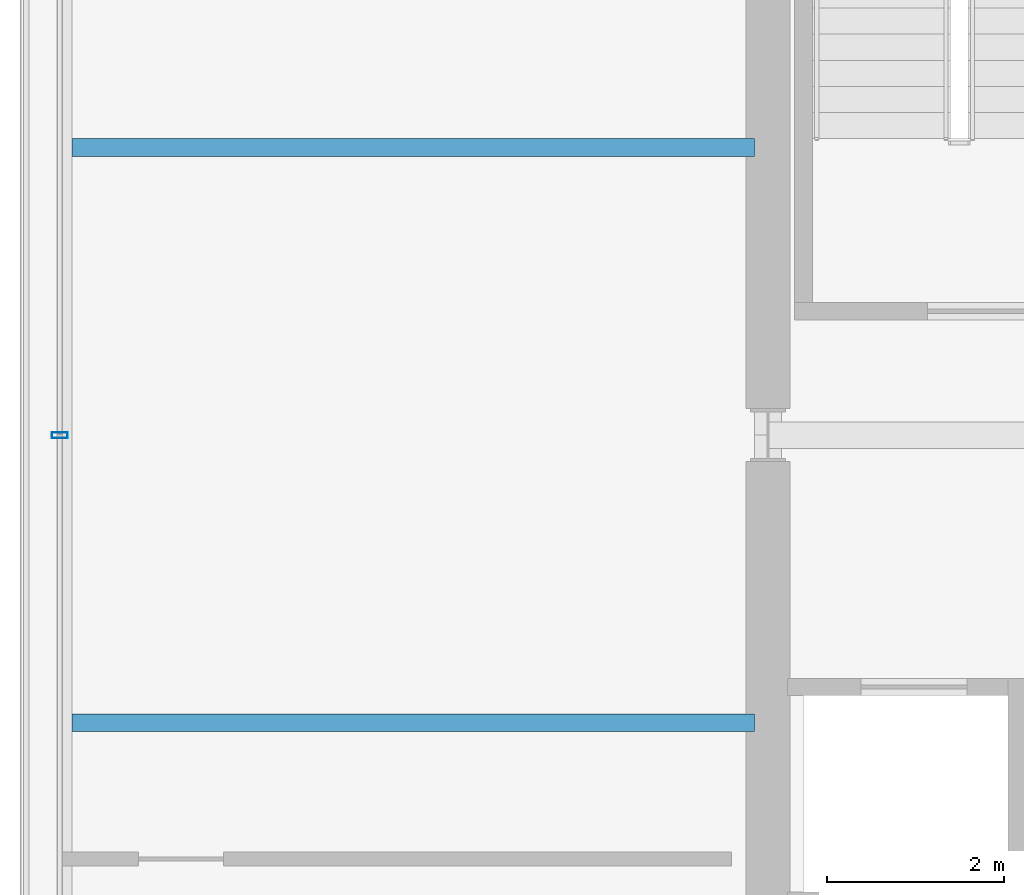
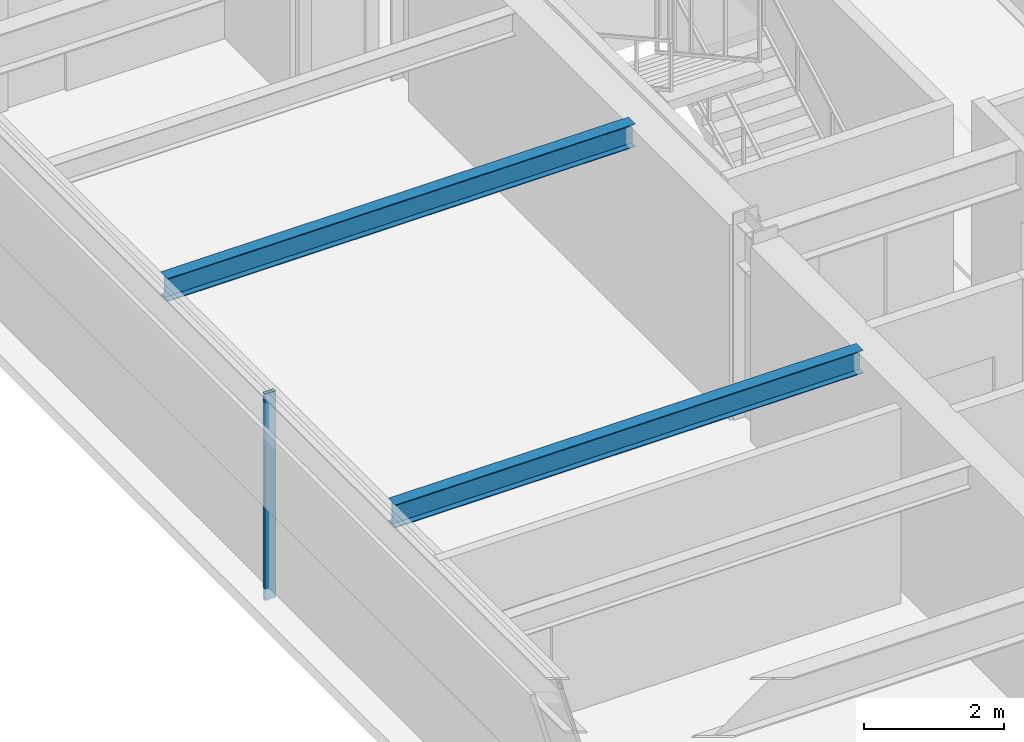
# One storey, part 8 of 29: 2 beams, 1 member, 1 element without a shape of its own.
"""IFC4 building model written with IfcOpenShell, lengths in metres."""

from ifc_helpers import new_model, si_unit, direction, frame, origin, origin_2d, place, context, subcontext, project, spatial, hollow_rectangle, i_section, extrude, material, layer, layer_set, material_profile, profile_set, type_object, element, aggregate, save


model = new_model("IFC4")

# Units and contexts
model_context = context("Model", 3, precision=1e-05, world=origin(), true_north=direction((0.0, 1.0)))
body_context = subcontext(model_context, "Body", "Model", "MODEL_VIEW")
ifc_project = project(units=[si_unit("LENGTHUNIT", "METRE"), si_unit("AREAUNIT", "SQUARE_METRE"), si_unit("VOLUMEUNIT", "CUBIC_METRE"), si_unit("PLANEANGLEUNIT", "RADIAN"), si_unit("MASSUNIT", "GRAM", prefix="KILO")], contexts=[model_context])

# Site, building, storey
site_placement = place(None, origin())
site = spatial("IfcSite", under=ifc_project, at=site_placement, CompositionType="ELEMENT")
building_placement = place(site_placement, origin())
building = spatial("IfcBuilding", under=site, at=building_placement, Name="Brelmoor Portico Tower", CompositionType="ELEMENT")
storey_placement = place(building_placement, frame((0.0, 0.0, 124.199951171875)))
storey = spatial("IfcBuildingStorey", under=building, at=storey_placement, Name="L32", CompositionType="ELEMENT", Elevation=124.199951171875)

# Beams
ifc_material_1 = material(Name="Steel Q355B", Category="steel")
ifc_material_profile_1 = material_profile(ifc_material_1, i_section(OverallWidth=0.199951171875, OverallDepth=0.39990234375, WebThickness=0.008056640625, FlangeThickness=0.012939453125, at=origin_2d()), Name="HN 400x200x8x13")
ifc_profile_set_1 = profile_set([ifc_material_profile_1], Name="Steel Q355B")
beam_type = type_object("IfcBeamType", Name="BM-JS-400", PredefinedType="JOIST", material=ifc_profile_set_1)
for number, where, z_axis, x_axis, name in (
    (1, (-22.409912109375, -3.25, 3.199951171875), (1.0, 0.0, 0.0), (0.0, 1.0, 0.0), "L32 Secondary Wing Joist JS-W06"),
    (2, (-22.409912109375, 3.25, 3.199951171875), (1.0, 0.0, 0.0), (0.0, 1.0, 0.0), "L32 Secondary Wing Joist JS-W07"),
):
    element("IfcBeam", number, at=place(storey_placement, frame(where, z_axis=z_axis, x_axis=x_axis)), inside=storey, type_object=beam_type, Name=name, PredefinedType="JOIST", context=body_context, shape_type="SweptSolid", body=[
        extrude(i_section(OverallWidth=0.199951171875, OverallDepth=0.39990234375, WebThickness=0.008056640625, FlangeThickness=0.012939453125, at=origin_2d()), origin(), (0.0, 0.0, 1.0), 7.7099609375),
    ])

# Curtain wall, member
ifc_material_2 = material(Name="Anodised Aluminium Alloy 6063-T6", Category="aluminium")
ifc_layer = layer(ifc_material_2, 0.179931640625)
ifc_layer_set = layer_set([ifc_layer], Name="Anodised Aluminium Alloy 6063-T6")
curtain_wall_type = type_object("IfcCurtainWallType", Name="CW-TOWER-Z2-XB", PredefinedType="NOTDEFINED", material=ifc_layer_set)
curtain_wall_placement = place(storey_placement, origin())
curtain_wall = element("IfcCurtainWall", 3, at=curtain_wall_placement, inside=storey, type_object=curtain_wall_type, Name="L32 Curtain Wall CW-L32-03-2", PredefinedType="NOTDEFINED")
ifc_material_profile_2 = material_profile(ifc_material_2, hollow_rectangle(XDim=0.06494140625, YDim=0.179931640625, WallThickness=0.00390625, at=origin_2d()), Name="ALU MULLION 65x180")
ifc_profile_set_2 = profile_set([ifc_material_profile_2], Name="Anodised Aluminium Alloy 6063-T6")
member_type = type_object("IfcMemberType", Name="MB-CW-MULL-180", PredefinedType="MULLION", material=ifc_profile_set_2)
member_placement = place(storey_placement, frame((-22.550048828125, 0.0, -0.199951171875), z_axis=(0.0, 0.0, 1.0), x_axis=(0.0, 1.0, 0.0)))
member = element("IfcMember", 4, at=member_placement, type_object=member_type, Name="CW-L32-03-2 Mullion 01", PredefinedType="MULLION", context=body_context, shape_type="SweptSolid", body=[
    extrude(hollow_rectangle(XDim=0.06494140625, YDim=0.179931640625, WallThickness=0.00390625, at=origin_2d()), origin(), (0.0, 0.0, 1.0), 3.60009765625),
])
aggregate(curtain_wall, [member])

save(model, "model.ifc")
